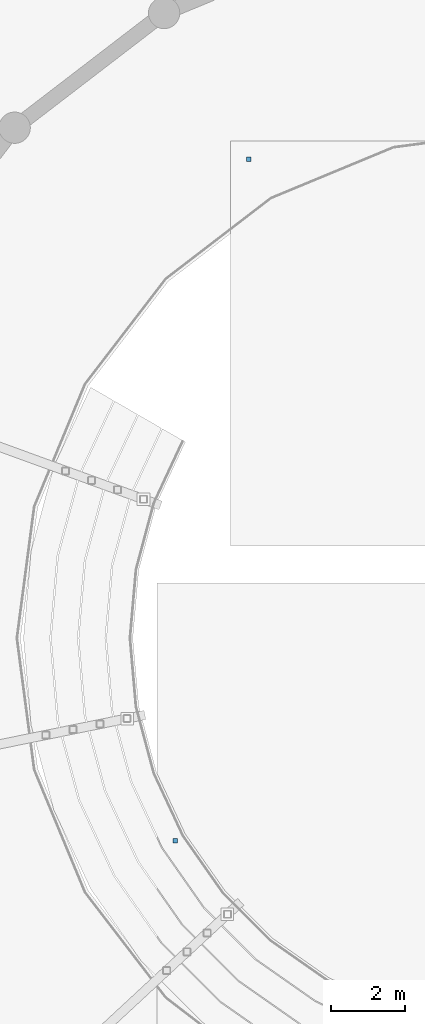
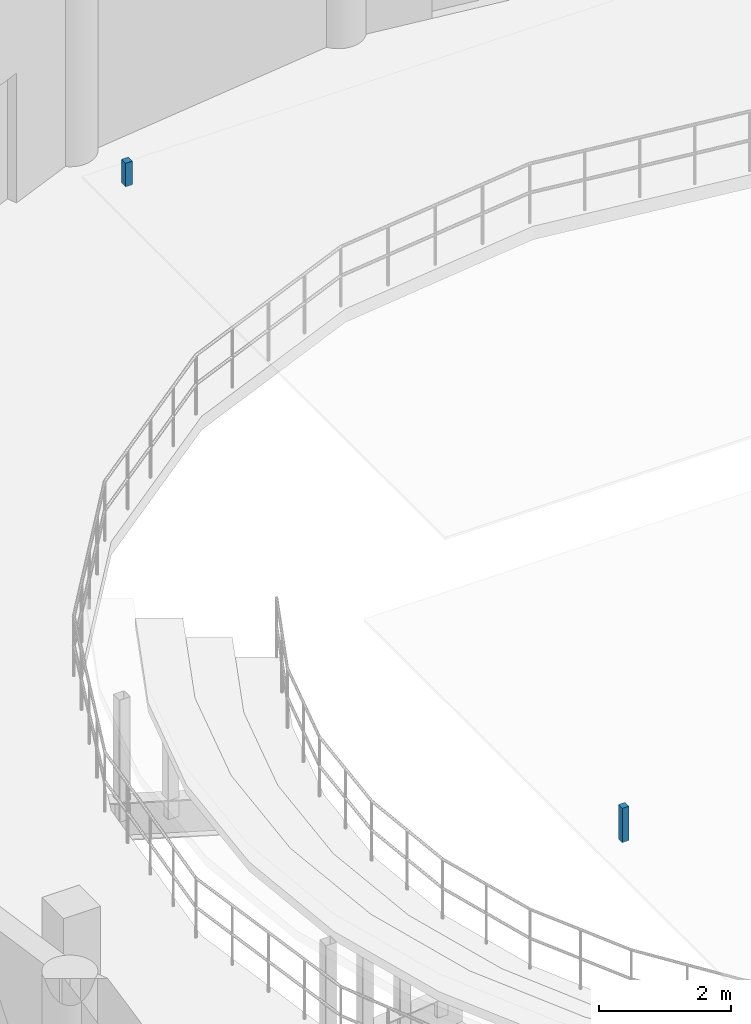
# One storey, part 46 of 54: 2 discrete accessories.
"""IFC4 building model written with IfcOpenShell, lengths in metres."""

from ifc_helpers import new_model, si_unit, direction, frame, origin, origin_2d, place, context, subcontext, project, spatial, rectangle, extrude, material, type_object, element, save


model = new_model("IFC4")

# Units and contexts
model_context = context("Model", 3, precision=1e-05, world=origin(), true_north=direction((0.0, 1.0)))
body_context = subcontext(model_context, "Body", "Model", "MODEL_VIEW")
ifc_project = project(units=[si_unit("LENGTHUNIT", "METRE"), si_unit("AREAUNIT", "SQUARE_METRE"), si_unit("VOLUMEUNIT", "CUBIC_METRE"), si_unit("PLANEANGLEUNIT", "RADIAN"), si_unit("MASSUNIT", "GRAM", prefix="KILO")], contexts=[model_context])

# Site, building, storey
site_placement = place(None, origin())
site = spatial("IfcSite", under=ifc_project, at=site_placement, CompositionType="ELEMENT")
building_placement = place(site_placement, origin())
building = spatial("IfcBuilding", under=site, at=building_placement, Name="Marnock Terrace Opera House", CompositionType="ELEMENT")
storey_placement = place(building_placement, frame((0.0, 0.0, 19.199951171875)))
storey = spatial("IfcBuildingStorey", under=building, at=storey_placement, Name="L04", CompositionType="ELEMENT", Elevation=19.199951171875)

# Discrete accessories
ifc_material = material(Name="Galvanised architectural steel framing", Category="steel")
discrete_accessory_type = type_object("IfcDiscreteAccessoryType", Name="ACC-HANGER-ROD", PredefinedType="BRACKET", material=ifc_material)
discrete_accessory_1_placement = place(storey_placement, frame((72.5, 55.0, 3.63525390625), z_axis=(0.0, 0.0, 1.0), x_axis=(1.0, 0.0, 0.0)))
element("IfcDiscreteAccessory", 1, at=discrete_accessory_1_placement, inside=storey, type_object=discrete_accessory_type, Name="CLG-AUD-CLOUD1 acoustic isolation hanger", PredefinedType="BRACKET", context=body_context, shape_type="SweptSolid", body=[
    extrude(rectangle(XDim=0.1201171875, YDim=0.1201171875, at=origin_2d()), origin(), (0.0, 0.0, 1.0), 0.635009765625),
])
discrete_accessory_2_placement = place(storey_placement, frame((74.5, 73.5, 3.8349609375), z_axis=(0.0, 0.0, 1.0), x_axis=(1.0, 0.0, 0.0)))
element("IfcDiscreteAccessory", 2, at=discrete_accessory_2_placement, inside=storey, type_object=discrete_accessory_type, Name="CLG-AUD-CLOUD2 acoustic isolation hanger", PredefinedType="BRACKET", context=body_context, shape_type="SweptSolid", body=[
    extrude(rectangle(XDim=0.1201171875, YDim=0.1201171875, at=origin_2d()), origin(), (0.0, 0.0, 1.0), 0.43505859375),
])

save(model, "model.ifc")
